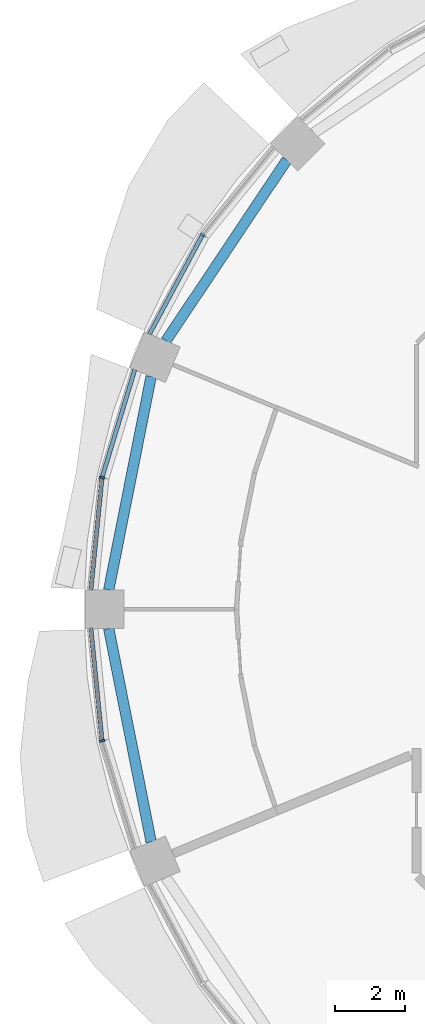
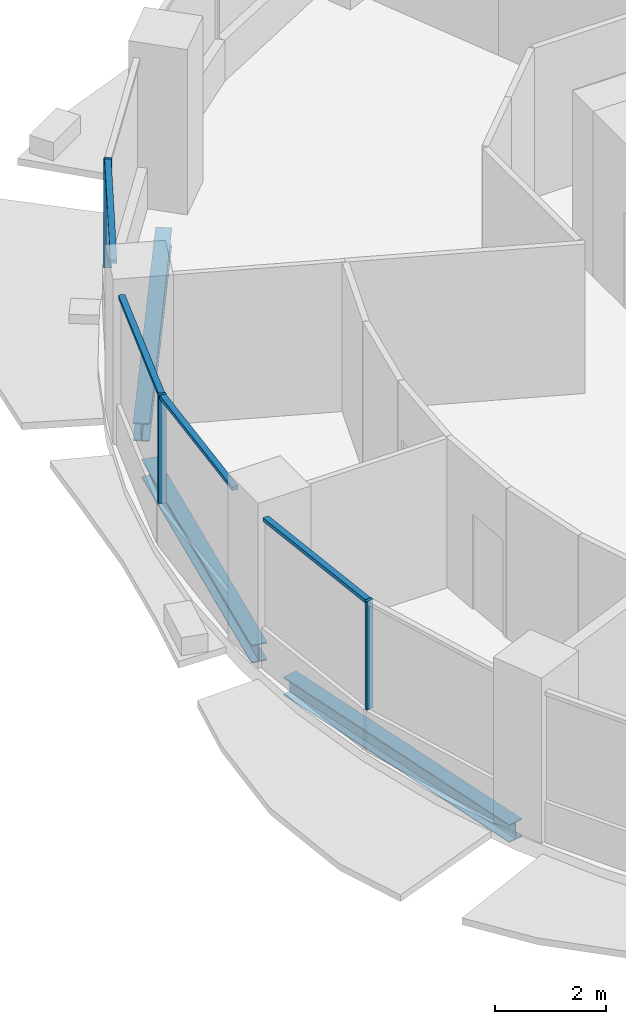
# One storey, part 4 of 15: 7 members, 3 beams, 3 elements without a shape of their own.
"""IFC4 building model written with IfcOpenShell, lengths in metres."""

from ifc_helpers import new_model, si_unit, direction, frame, origin, origin_2d, place, context, subcontext, project, spatial, rectangle, i_section, extrude, material, material_profile, profile_set, type_object, element, aggregate, save


model = new_model("IFC4")

# Units and contexts
model_context = context("Model", 3, precision=1e-05, world=origin(), true_north=direction((0.0, 1.0)))
body_context = subcontext(model_context, "Body", "Model", "MODEL_VIEW")
ifc_project = project(units=[si_unit("LENGTHUNIT", "METRE"), si_unit("AREAUNIT", "SQUARE_METRE"), si_unit("VOLUMEUNIT", "CUBIC_METRE"), si_unit("PLANEANGLEUNIT", "RADIAN"), si_unit("MASSUNIT", "GRAM", prefix="KILO")], contexts=[model_context])

# Site, building, storey
site_placement = place(None, origin())
site = spatial("IfcSite", under=ifc_project, at=site_placement, CompositionType="ELEMENT")
building_placement = place(site_placement, origin())
building = spatial("IfcBuilding", under=site, at=building_placement, Name="Polderwave Tower", CompositionType="ELEMENT")
storey_placement = place(building_placement, frame((0.0, 0.0, 87.35009765625)))
storey = spatial("IfcBuildingStorey", under=building, at=storey_placement, Name="L22", CompositionType="ELEMENT", Elevation=87.35009765625)

# Curtain wall, member
ifc_material_1 = material(Name="Aluminium 6063-T6 and glass", Category="aluminium")
curtain_wall_type = type_object("IfcCurtainWallType", Name="Growing floor ribbon glazing wall", PredefinedType="NOTDEFINED", material=ifc_material_1)
curtain_wall_1_placement = place(storey_placement, origin())
curtain_wall_1 = element("IfcCurtainWall", 1, at=curtain_wall_1_placement, inside=storey, type_object=curtain_wall_type, Name="CW2 L22 06", PredefinedType="NOTDEFINED")
ifc_material_2 = material(Name="Aluminium 6063-T6", Category="aluminium")
ifc_material_profile_1 = material_profile(ifc_material_2, rectangle(XDim=0.14990234375, YDim=0.06005859375, at=origin_2d()), Name="AL 60x150")
ifc_profile_set_1 = profile_set([ifc_material_profile_1], Name="Aluminium 6063-T6")
member_type_1 = type_object("IfcMemberType", Name="Growing floor ribbon glazing mullion 60x150", PredefinedType="MULLION", material=ifc_profile_set_1)
member_1_placement = place(storey_placement, frame((-15.964111328125, 10.6669921875, 0.89990234375), z_axis=(0.0, 0.0, 1.0), x_axis=(0.831444400469, -0.555607963342, 0.0)))
member_1 = element("IfcMember", 2, at=member_1_placement, type_object=member_type_1, Name="CW2 mullion 1", PredefinedType="MULLION", context=body_context, shape_type="SweptSolid", body=[
    extrude(rectangle(XDim=0.14990234375, YDim=0.06005859375, at=origin_2d()), origin(), (0.0, 0.0, 1.0), 2.39990234375),
])

curtain_wall_2_placement = place(storey_placement, origin())
curtain_wall_2 = element("IfcCurtainWall", 3, at=curtain_wall_2_placement, inside=storey, type_object=curtain_wall_type, Name="CW2 L22 07", PredefinedType="NOTDEFINED")
member_2_placement = place(storey_placement, frame((-18.8310546875, 3.74609375, 0.89990234375), z_axis=(0.0, 0.0, 1.0), x_axis=(0.980783918392, -0.195097169184, 0.0)))
member_2 = element("IfcMember", 4, at=member_2_placement, type_object=member_type_1, Name="CW2 mullion 1", PredefinedType="MULLION", context=body_context, shape_type="SweptSolid", body=[
    extrude(rectangle(XDim=0.14990234375, YDim=0.06005859375, at=origin_2d()), origin(), (0.0, 0.0, 1.0), 2.39990234375),
])

curtain_wall_3_placement = place(storey_placement, origin())
curtain_wall_3 = element("IfcCurtainWall", 5, at=curtain_wall_3_placement, inside=storey, type_object=curtain_wall_type, Name="CW2 L22 08", PredefinedType="NOTDEFINED")
member_3_placement = place(storey_placement, frame((-18.8310546875, -3.74609375, 0.89990234375), z_axis=(0.0, 0.0, 1.0), x_axis=(0.980783918392, 0.195097169184, 0.0)))
member_3 = element("IfcMember", 6, at=member_3_placement, type_object=member_type_1, Name="CW2 mullion 1", PredefinedType="MULLION", context=body_context, shape_type="SweptSolid", body=[
    extrude(rectangle(XDim=0.14990234375, YDim=0.06005859375, at=origin_2d()), origin(), (0.0, 0.0, 1.0), 2.39990234375),
])

# Member
ifc_material_profile_2 = material_profile(ifc_material_2, rectangle(XDim=0.1201171875, YDim=0.080078125, at=origin_2d()), Name="AL 80x120")
ifc_profile_set_2 = profile_set([ifc_material_profile_2], Name="Aluminium 6063-T6")
member_type_2 = type_object("IfcMemberType", Name="Growing floor ribbon glazing transom 80x120", PredefinedType="USERDEFINED", material=ifc_profile_set_2)
member_4_placement = place(storey_placement, frame((-15.97802734375, 10.640380859375, 3.260009765625), z_axis=(-0.471512085827, -0.881859599323, 0.0), x_axis=(0.881859599323, -0.471512085827, 0.0)))
member_4 = element("IfcMember", 7, at=member_4_placement, type_object=member_type_2, Name="CW2 transom 2", ObjectType="TRANSOM", PredefinedType="USERDEFINED", context=body_context, shape_type="SweptSolid", body=[
    extrude(rectangle(XDim=0.1201171875, YDim=0.080078125, at=origin_2d()), origin(), (0.0, 0.0, 1.0), 3.18115234375),
])

aggregate(curtain_wall_1, [member_1, member_4])

member_5_placement = place(storey_placement, frame((-17.89892578125, 6.819091796875, 3.260009765625), z_axis=(-0.290233155766, -0.95695596309, 0.0), x_axis=(0.95695596309, -0.290233155766, 0.0)))
member_5 = element("IfcMember", 8, at=member_5_placement, type_object=member_type_2, Name="CW2 transom 1", ObjectType="TRANSOM", PredefinedType="USERDEFINED", context=body_context, shape_type="SweptSolid", body=[
    extrude(rectangle(XDim=0.1201171875, YDim=0.080078125, at=origin_2d()), origin(), (0.0, 0.0, 1.0), 3.181396484375),
])

member_6_placement = place(storey_placement, frame((-18.833984375, 3.716064453125, 3.260009765625), z_axis=(-0.098075167681, -0.995179009769, 0.0), x_axis=(0.995179009769, -0.098075167681, 0.0)))
member_6 = element("IfcMember", 9, at=member_6_placement, type_object=member_type_2, Name="CW2 transom 2", ObjectType="TRANSOM", PredefinedType="USERDEFINED", context=body_context, shape_type="SweptSolid", body=[
    extrude(rectangle(XDim=0.1201171875, YDim=0.080078125, at=origin_2d()), origin(), (0.0, 0.0, 1.0), 3.181396484375),
])

aggregate(curtain_wall_2, [member_2, member_5, member_6])

member_7_placement = place(storey_placement, frame((-19.14599609375, -0.550048828125, 3.260009765625), z_axis=(0.098075167681, -0.995179009769, 0.0), x_axis=(0.995179009769, 0.098075167681, 0.0)))
member_7 = element("IfcMember", 10, at=member_7_placement, type_object=member_type_2, Name="CW2 transom 1", ObjectType="TRANSOM", PredefinedType="USERDEFINED", context=body_context, shape_type="SweptSolid", body=[
    extrude(rectangle(XDim=0.1201171875, YDim=0.080078125, at=origin_2d()), origin(), (0.0, 0.0, 1.0), 3.181396484375),
])

aggregate(curtain_wall_3, [member_3, member_7])

# Beams
ifc_material_3 = material(Name="Steel S355", Category="steel")
ifc_material_profile_3 = material_profile(ifc_material_3, i_section(OverallWidth=0.300048828125, OverallDepth=0.39990234375, WebThickness=0.013427734375, FlangeThickness=0.02392578125, at=origin_2d()), Name="HE 400 B")
ifc_profile_set_3 = profile_set([ifc_material_profile_3], Name="Steel S355")
beam_type = type_object("IfcBeamType", Name="RING BEAM HE 400 B", PredefinedType="BEAM", material=ifc_profile_set_3)
for number, where, z_axis, x_axis, name in (
    (11, (-13.56982421875, 12.7919921875, -0.550048828125), (-0.555573051966, -0.831467728736, 0.0), (0.831467728736, -0.555573051966, 0.0), "ST-RB-L22-06"),
    (12, (-17.43212890625, 6.625244140625, -0.550048828125), (-0.195100355977, -0.980783284471, 0.0), (0.980783284471, -0.195100355977, 0.0), "ST-RB-L22-07"),
    (13, (-18.640625, -0.550048828125, -0.550048828125), (0.195100355977, -0.980783284471, 0.0), (0.980783284471, 0.195100355977, 0.0), "ST-RB-L22-08"),
):
    element("IfcBeam", number, at=place(storey_placement, frame(where, z_axis=z_axis, x_axis=x_axis)), inside=storey, type_object=beam_type, Name=name, PredefinedType="BEAM", context=body_context, shape_type="SweptSolid", body=[
        extrude(i_section(OverallWidth=0.300048828125, OverallDepth=0.39990234375, WebThickness=0.013427734375, FlangeThickness=0.02392578125, at=origin_2d()), origin(), (0.0, 0.0, 1.0), 6.1943359375),
    ])

save(model, "model.ifc")
